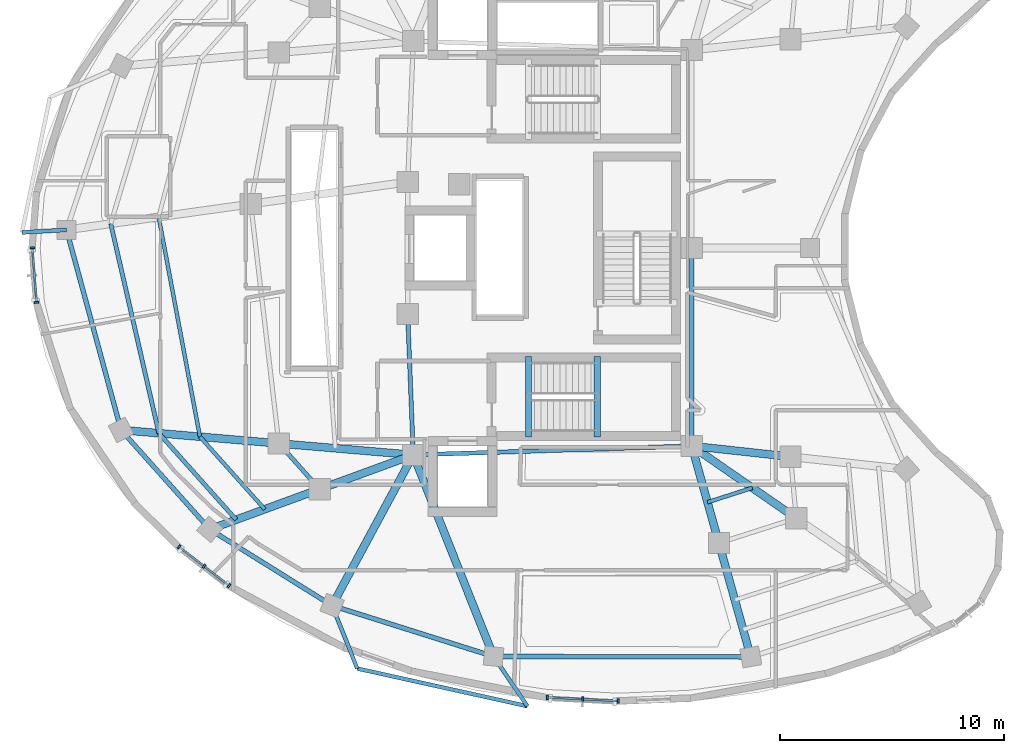
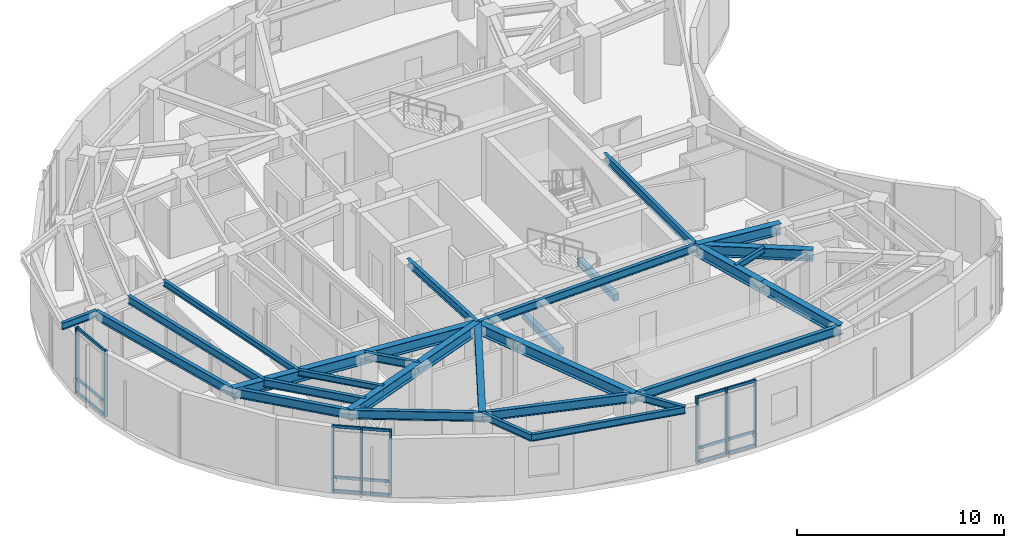
# One storey, part 2 of 13: 30 beams, 23 members, 3 elements without a shape of their own.
"""IFC4 building model written with IfcOpenShell, lengths in metres."""

from ifc_helpers import new_model, si_unit, direction, frame, origin, origin_2d, place, context, subcontext, project, spatial, rectangle, i_section, extrude, material, layer, layer_set, material_profile, profile_set, type_object, element, aggregate, save


model = new_model("IFC4")

# Units and contexts
model_context = context("Model", 3, precision=1e-05, world=origin(), true_north=direction((0.0, 1.0)))
body_context = subcontext(model_context, "Body", "Model", "MODEL_VIEW")
ifc_project = project(units=[si_unit("LENGTHUNIT", "METRE"), si_unit("AREAUNIT", "SQUARE_METRE"), si_unit("VOLUMEUNIT", "CUBIC_METRE"), si_unit("PLANEANGLEUNIT", "RADIAN"), si_unit("MASSUNIT", "GRAM", prefix="KILO")], contexts=[model_context])

# Site, building, storey
site_placement = place(None, origin())
site = spatial("IfcSite", under=ifc_project, at=site_placement, CompositionType="ELEMENT")
building_placement = place(site_placement, origin())
building = spatial("IfcBuilding", under=site, at=building_placement, Name="Korentha Bioscience Tower", CompositionType="ELEMENT")
storey_placement = place(building_placement, frame((0.0, 0.0, 260.39990234375)))
storey = spatial("IfcBuildingStorey", under=building, at=storey_placement, Name="L60", CompositionType="ELEMENT", Elevation=260.39990234375)

# Beams
ifc_material_1 = material(Name="Concrete C50", Category="concrete")
ifc_material_profile_1 = material_profile(ifc_material_1, rectangle(XDim=0.280029296875, YDim=0.3798828125, at=origin_2d()), Name="Concrete C50")
ifc_profile_set_1 = profile_set([ifc_material_profile_1], Name="Concrete C50 (ST-HB380)")
beam_type_1 = type_object("IfcBeamType", Name="Concrete Stair Header Beam RC 280x380", PredefinedType="BEAM", material=ifc_profile_set_1)
for number, where, z_axis, x_axis, name in (
    (1, (30.25, 18.550048828125, -0.18994140625), (0.0, 1.0, 0.0), (-1.0, 0.0, 0.0), "L60 ST-2 Concrete Stair Header Beam"),
    (2, (33.330078125, 18.550048828125, 1.91015625), (0.0, 1.0, 0.0), (-1.0, 0.0, 0.0), "L60 ST-2 Half-Landing Header Beam 1"),
):
    element("IfcBeam", number, at=place(storey_placement, frame(where, z_axis=z_axis, x_axis=x_axis)), inside=storey, type_object=beam_type_1, Name=name, PredefinedType="BEAM", context=body_context, shape_type="SweptSolid", body=[
        extrude(rectangle(XDim=0.280029296875, YDim=0.3798828125, at=origin_2d()), origin(), (0.0, 0.0, 1.0), 3.599853515625),
    ])
ifc_material_2 = material(Name="Steel S355", Category="steel")
ifc_material_profile_2 = material_profile(ifc_material_2, i_section(OverallWidth=0.18994140625, OverallDepth=0.45703125, WebThickness=0.009033203125, FlangeThickness=0.014404296875, at=origin_2d()), Name="Steel S355")
ifc_profile_set_2 = profile_set([ifc_material_profile_2], Name="Steel S355 (MB-460)")
beam_type_2 = type_object("IfcBeamType", Name="Mid-Ring Tie Girder W460x74", PredefinedType="BEAM", material=ifc_profile_set_2)
beam_1_placement = place(storey_placement, frame((19.08984375, 18.262451171875, 3.671630859375), z_axis=(0.666159168073, -0.745809602239, 0.0), x_axis=(0.745809602239, 0.666159168073, 0.0)))
element("IfcBeam", 3, at=beam_1_placement, inside=storey, type_object=beam_type_2, Name="L60 Mid-Ring Tie Girder 08", PredefinedType="BEAM", context=body_context, shape_type="SweptSolid", body=[
    extrude(i_section(OverallWidth=0.18994140625, OverallDepth=0.45703125, WebThickness=0.009033203125, FlangeThickness=0.014404296875, at=origin_2d()), origin(), (0.0, 0.0, 1.0), 2.740234375),
])
beam_2_placement = place(storey_placement, frame((24.85009765625, 24.050048828125, 3.671630859375), z_axis=(0.039651025576, -0.999213588864, 0.0), x_axis=(0.999213588864, 0.039651025576, 0.0)))
element("IfcBeam", 4, at=beam_2_placement, inside=storey, type_object=beam_type_2, Name="L60 Core Ring Tie Girder 04", PredefinedType="BEAM", context=body_context, shape_type="SweptSolid", body=[
    extrude(i_section(OverallWidth=0.18994140625, OverallDepth=0.45703125, WebThickness=0.009033203125, FlangeThickness=0.014404296875, at=origin_2d()), origin(), (0.0, 0.0, 1.0), 6.304931640625),
])
beam_3_placement = place(storey_placement, frame((25.10009765625, 17.75, 3.671630859375), z_axis=(0.999484526071, 0.032104238723, 0.0), x_axis=(-0.032104238723, 0.999484526071, 0.0)))
element("IfcBeam", 5, at=beam_3_placement, inside=storey, type_object=beam_type_2, Name="L60 Core Ring Tie Girder 05", PredefinedType="BEAM", context=body_context, shape_type="SweptSolid", body=[
    extrude(i_section(OverallWidth=0.18994140625, OverallDepth=0.45703125, WebThickness=0.009033203125, FlangeThickness=0.014404296875, at=origin_2d()), origin(), (0.0, 0.0, 1.0), 12.456298828125),
])
beam_4_placement = place(storey_placement, frame((37.550048828125, 18.14990234375, 3.671630859375), z_axis=(0.0, 1.0, 0.0), x_axis=(-1.0, 0.0, 0.0)))
element("IfcBeam", 6, at=beam_4_placement, inside=storey, type_object=beam_type_2, Name="L60 Core Ring Tie Girder 06", PredefinedType="BEAM", context=body_context, shape_type="SweptSolid", body=[
    extrude(i_section(OverallWidth=0.18994140625, OverallDepth=0.45703125, WebThickness=0.009033203125, FlangeThickness=0.014404296875, at=origin_2d()), origin(), (0.0, 0.0, 1.0), 8.85009765625),
])

# Curtain wall, members
ifc_material_3 = material(Name="Thermally Broken Aluminium Frame", Category="aluminium")
ifc_layer = layer(ifc_material_3, 0.219970703125, Name="Thermally Broken Aluminium Frame")
ifc_layer_set = layer_set([ifc_layer], Name="Thermally Broken Aluminium Frame (CW-T2)")
curtain_wall_type = type_object("IfcCurtainWallType", Name="Solar-Screened Lab Unitised Curtain Wall CW-T2", PredefinedType="USERDEFINED", material=ifc_layer_set)
curtain_wall_1_placement = place(storey_placement, origin())
curtain_wall_1 = element("IfcCurtainWall", 7, at=curtain_wall_1_placement, inside=storey, type_object=curtain_wall_type, Name="L60 Curtain Wall 19", ObjectType="UNITISED", PredefinedType="USERDEFINED")
ifc_material_4 = material(Name="Anodised Aluminium 6063-T6", Category="aluminium")
ifc_material_profile_3 = material_profile(ifc_material_4, rectangle(XDim=0.090087890625, YDim=0.199951171875, at=origin_2d()), Name="Anodised Aluminium 6063-T6")
ifc_profile_set_3 = profile_set([ifc_material_profile_3], Name="Anodised Aluminium 6063-T6 (CW-MUL)")
member_type_1 = type_object("IfcMemberType", Name="Mullion RECT 90x200", PredefinedType="MULLION", material=ifc_profile_set_3)
member_1_placement = place(storey_placement, frame((8.06884765625, 27.007568359375, 0.0), z_axis=(0.0, 0.0, 1.0), x_axis=(0.078035250492, -0.996950600421, 0.0)))
member_1 = element("IfcMember", 8, at=member_1_placement, type_object=member_type_1, Name="CW-L60-19 Mullion 1", PredefinedType="MULLION", context=body_context, shape_type="SweptSolid", body=[
    extrude(rectangle(XDim=0.090087890625, YDim=0.199951171875, at=origin_2d()), origin(), (0.0, 0.0, 1.0), 3.900146484375),
])
member_2_placement = place(storey_placement, frame((8.259765625, 24.569091796875, 0.0), z_axis=(0.0, 0.0, 1.0), x_axis=(0.078035250492, -0.996950600421, 0.0)))
member_2 = element("IfcMember", 9, at=member_2_placement, type_object=member_type_1, Name="CW-L60-19 Mullion 2", PredefinedType="MULLION", context=body_context, shape_type="SweptSolid", body=[
    extrude(rectangle(XDim=0.090087890625, YDim=0.199951171875, at=origin_2d()), origin(), (0.0, 0.0, 1.0), 3.900146484375),
])

curtain_wall_2_placement = place(storey_placement, origin())
curtain_wall_2 = element("IfcCurtainWall", 10, at=curtain_wall_2_placement, inside=storey, type_object=curtain_wall_type, Name="L60 Curtain Wall 25", ObjectType="UNITISED", PredefinedType="USERDEFINED")
member_3_placement = place(storey_placement, frame((14.6259765625, 13.64111328125, 0.0), z_axis=(0.0, 0.0, 1.0), x_axis=(0.790487520139, -0.612478146961, 0.0)))
member_3 = element("IfcMember", 11, at=member_3_placement, type_object=member_type_1, Name="CW-L60-25 Mullion 1", PredefinedType="MULLION", context=body_context, shape_type="SweptSolid", body=[
    extrude(rectangle(XDim=0.090087890625, YDim=0.199951171875, at=origin_2d()), origin(), (0.0, 0.0, 1.0), 3.900146484375),
])
member_4_placement = place(storey_placement, frame((15.74560546875, 12.773681640625, 0.0), z_axis=(0.0, 0.0, 1.0), x_axis=(0.790487520139, -0.612478146961, 0.0)))
member_4 = element("IfcMember", 12, at=member_4_placement, type_object=member_type_1, Name="CW-L60-25 Mullion 2", PredefinedType="MULLION", context=body_context, shape_type="SweptSolid", body=[
    extrude(rectangle(XDim=0.090087890625, YDim=0.199951171875, at=origin_2d()), origin(), (0.0, 0.0, 1.0), 3.900146484375),
])
member_5_placement = place(storey_placement, frame((16.865234375, 11.90625, 0.0), z_axis=(0.0, 0.0, 1.0), x_axis=(0.790487520139, -0.612478146961, 0.0)))
member_5 = element("IfcMember", 13, at=member_5_placement, type_object=member_type_1, Name="CW-L60-25 Mullion 3", PredefinedType="MULLION", context=body_context, shape_type="SweptSolid", body=[
    extrude(rectangle(XDim=0.090087890625, YDim=0.199951171875, at=origin_2d()), origin(), (0.0, 0.0, 1.0), 3.900146484375),
])

curtain_wall_3_placement = place(storey_placement, origin())
curtain_wall_3 = element("IfcCurtainWall", 14, at=curtain_wall_3_placement, inside=storey, type_object=curtain_wall_type, Name="L60 Curtain Wall 31", ObjectType="UNITISED", PredefinedType="USERDEFINED")
member_6_placement = place(storey_placement, frame((31.086181640625, 6.91259765625, 0.0), z_axis=(0.0, 0.0, 1.0), x_axis=(0.998636113937, -0.052210266622, 0.0)))
member_6 = element("IfcMember", 15, at=member_6_placement, type_object=member_type_1, Name="CW-L60-31 Mullion 1", PredefinedType="MULLION", context=body_context, shape_type="SweptSolid", body=[
    extrude(rectangle(XDim=0.090087890625, YDim=0.199951171875, at=origin_2d()), origin(), (0.0, 0.0, 1.0), 3.900146484375),
])
member_7_placement = place(storey_placement, frame((32.6728515625, 6.82958984375, 0.0), z_axis=(0.0, 0.0, 1.0), x_axis=(0.998636113937, -0.052210266622, 0.0)))
member_7 = element("IfcMember", 16, at=member_7_placement, type_object=member_type_1, Name="CW-L60-31 Mullion 2", PredefinedType="MULLION", context=body_context, shape_type="SweptSolid", body=[
    extrude(rectangle(XDim=0.090087890625, YDim=0.199951171875, at=origin_2d()), origin(), (0.0, 0.0, 1.0), 3.900146484375),
])
member_8_placement = place(storey_placement, frame((34.259521484375, 6.74658203125, 0.0), z_axis=(0.0, 0.0, 1.0), x_axis=(0.998636113937, -0.052210266622, 0.0)))
member_8 = element("IfcMember", 17, at=member_8_placement, type_object=member_type_1, Name="CW-L60-31 Mullion 3", PredefinedType="MULLION", context=body_context, shape_type="SweptSolid", body=[
    extrude(rectangle(XDim=0.090087890625, YDim=0.199951171875, at=origin_2d()), origin(), (0.0, 0.0, 1.0), 3.900146484375),
])

# Beams
ifc_material_profile_4 = material_profile(ifc_material_2, i_section(OverallWidth=0.208984375, OverallDepth=0.532958984375, WebThickness=0.01025390625, FlangeThickness=0.015625, at=origin_2d()), Name="Steel S355")
ifc_profile_set_4 = profile_set([ifc_material_profile_4], Name="Steel S355 (SB-530)")
beam_type_3 = type_object("IfcBeamType", Name="Perimeter Ring Spandrel Girder W530x92", PredefinedType="SPANDREL", material=ifc_profile_set_4)
beam_5_placement = place(storey_placement, frame((9.597412109375, 27.810302734375, 3.633544921875), z_axis=(0.26282776206, -0.964842768274, 0.0), x_axis=(0.964842768274, 0.26282776206, 0.0)))
element("IfcBeam", 18, at=beam_5_placement, inside=storey, type_object=beam_type_3, Name="L60 Perimeter Spandrel Girder 07", PredefinedType="SPANDREL", context=body_context, shape_type="SweptSolid", body=[
    extrude(i_section(OverallWidth=0.208984375, OverallDepth=0.532958984375, WebThickness=0.01025390625, FlangeThickness=0.015625, at=origin_2d()), origin(), (0.0, 0.0, 1.0), 9.272216796875),
])
beam_6_placement = place(storey_placement, frame((12.034423828125, 18.864013671875, 3.633544921875), z_axis=(0.666168059737, -0.745801660086, 0.0), x_axis=(0.745801660086, 0.666168059737, 0.0)))
element("IfcBeam", 19, at=beam_6_placement, inside=storey, type_object=beam_type_3, Name="L60 Perimeter Spandrel Girder 08", PredefinedType="SPANDREL", context=body_context, shape_type="SweptSolid", body=[
    extrude(i_section(OverallWidth=0.208984375, OverallDepth=0.532958984375, WebThickness=0.01025390625, FlangeThickness=0.015625, at=origin_2d()), origin(), (0.0, 0.0, 1.0), 5.956787109375),
])
beam_7_placement = place(storey_placement, frame((16.002685546875, 14.42138671875, 3.633544921875), z_axis=(0.848585501162, -0.529058264482, 0.0), x_axis=(0.529058264482, 0.848585501162, 0.0)))
element("IfcBeam", 20, at=beam_7_placement, inside=storey, type_object=beam_type_3, Name="L60 Perimeter Spandrel Girder 09", PredefinedType="SPANDREL", context=body_context, shape_type="SweptSolid", body=[
    extrude(i_section(OverallWidth=0.208984375, OverallDepth=0.532958984375, WebThickness=0.01025390625, FlangeThickness=0.015625, at=origin_2d()), origin(), (0.0, 0.0, 1.0), 6.441162109375),
])
beam_8_placement = place(storey_placement, frame((21.468505859375, 11.013671875, 3.633544921875), z_axis=(0.953788154386, -0.300479877118, 0.0), x_axis=(0.300479877118, 0.953788154386, 0.0)))
element("IfcBeam", 21, at=beam_8_placement, inside=storey, type_object=beam_type_3, Name="L60 Perimeter Spandrel Girder 10", PredefinedType="SPANDREL", context=body_context, shape_type="SweptSolid", body=[
    extrude(i_section(OverallWidth=0.208984375, OverallDepth=0.532958984375, WebThickness=0.01025390625, FlangeThickness=0.015625, at=origin_2d()), origin(), (0.0, 0.0, 1.0), 7.5693359375),
])
beam_9_placement = place(storey_placement, frame((28.68798828125, 8.7392578125, 3.633544921875), z_axis=(0.999998255351, -0.001867965325, 0.0), x_axis=(0.001867965325, 0.999998255351, 0.0)))
element("IfcBeam", 22, at=beam_9_placement, inside=storey, type_object=beam_type_3, Name="L60 Perimeter Spandrel Girder 11", PredefinedType="SPANDREL", context=body_context, shape_type="SweptSolid", body=[
    extrude(i_section(OverallWidth=0.208984375, OverallDepth=0.532958984375, WebThickness=0.01025390625, FlangeThickness=0.015625, at=origin_2d()), origin(), (0.0, 0.0, 1.0), 11.50146484375),
])
ifc_material_profile_5 = material_profile(ifc_material_2, i_section(OverallWidth=0.18994140625, OverallDepth=0.45703125, WebThickness=0.009033203125, FlangeThickness=0.014404296875, at=origin_2d()), Name="Steel S355")
ifc_profile_set_5 = profile_set([ifc_material_profile_5], Name="Steel S355 (RB-460)")
beam_type_4 = type_object("IfcBeamType", Name="Radial Laboratory Beam W460x74", PredefinedType="BEAM", material=ifc_profile_set_5)
beam_10_placement = place(storey_placement, frame((11.57421875, 28.087646484375, 3.671630859375), z_axis=(0.224037694456, -0.974580479726, 0.0), x_axis=(0.974580479726, 0.224037694456, 0.0)))
element("IfcBeam", 23, at=beam_10_placement, inside=storey, type_object=beam_type_4, Name="L60 Secondary Floor Beam JSTO-07", PredefinedType="BEAM", context=body_context, shape_type="SweptSolid", body=[
    extrude(i_section(OverallWidth=0.18994140625, OverallDepth=0.45703125, WebThickness=0.009033203125, FlangeThickness=0.014404296875, at=origin_2d()), origin(), (0.0, 0.0, 1.0), 9.612548828125),
])
beam_11_placement = place(storey_placement, frame((13.727783203125, 18.719482421875, 3.671630859375), z_axis=(0.666197283, -0.745775556132, 0.0), x_axis=(0.745775556132, 0.666197283, 0.0)))
element("IfcBeam", 24, at=beam_11_placement, inside=storey, type_object=beam_type_4, Name="L60 Secondary Floor Beam JSTO-08", PredefinedType="BEAM", context=body_context, shape_type="SweptSolid", body=[
    extrude(i_section(OverallWidth=0.18994140625, OverallDepth=0.45703125, WebThickness=0.009033203125, FlangeThickness=0.014404296875, at=origin_2d()), origin(), (0.0, 0.0, 1.0), 5.184814453125),
])
ifc_material_profile_6 = material_profile(ifc_material_2, i_section(OverallWidth=0.35009765625, OverallDepth=0.64990234375, WebThickness=0.01611328125, FlangeThickness=0.02490234375, at=origin_2d()), Name="Steel S355")
ifc_profile_set_6 = profile_set([ifc_material_profile_6], Name="Steel S355 (RB-650)")
beam_type_5 = type_object("IfcBeamType", Name="Radial Laboratory Girder CVS 650x208", PredefinedType="BEAM", material=ifc_profile_set_6)
beam_12_placement = place(storey_placement, frame((25.10009765625, 17.75, 3.5751953125), z_axis=(-0.996384825277, 0.084954575849, 0.0), x_axis=(-0.084954575849, -0.996384825277, 0.0)))
element("IfcBeam", 25, at=beam_12_placement, inside=storey, type_object=beam_type_5, Name="L60 Inner Radial Girder 08", PredefinedType="BEAM", context=body_context, shape_type="SweptSolid", body=[
    extrude(i_section(OverallWidth=0.35009765625, OverallDepth=0.64990234375, WebThickness=0.01611328125, FlangeThickness=0.02490234375, at=origin_2d()), origin(), (0.0, 0.0, 1.0), 6.031982421875),
])
beam_13_placement = place(storey_placement, frame((19.08984375, 18.262451171875, 3.5751953125), z_axis=(-0.996384854796, 0.084954229635, 0.0), x_axis=(-0.084954229635, -0.996384854796, 0.0)))
element("IfcBeam", 26, at=beam_13_placement, inside=storey, type_object=beam_type_5, Name="L60 Outer Radial Girder 08", PredefinedType="BEAM", context=body_context, shape_type="SweptSolid", body=[
    extrude(i_section(OverallWidth=0.35009765625, OverallDepth=0.64990234375, WebThickness=0.01611328125, FlangeThickness=0.02490234375, at=origin_2d()), origin(), (0.0, 0.0, 1.0), 7.0810546875),
])
beam_14_placement = place(storey_placement, frame((25.10009765625, 17.75, 3.5751953125), z_axis=(-0.939106897866, -0.343625136422, 0.0), x_axis=(0.343625136422, -0.939106897866, 0.0)))
element("IfcBeam", 27, at=beam_14_placement, inside=storey, type_object=beam_type_5, Name="L60 Inner Radial Girder 09", PredefinedType="BEAM", context=body_context, shape_type="SweptSolid", body=[
    extrude(i_section(OverallWidth=0.35009765625, OverallDepth=0.64990234375, WebThickness=0.01611328125, FlangeThickness=0.02490234375, at=origin_2d()), origin(), (0.0, 0.0, 1.0), 4.4560546875),
])
beam_15_placement = place(storey_placement, frame((20.915283203125, 16.21875, 3.5751953125), z_axis=(-0.939118444477, -0.343593578583, 0.0), x_axis=(0.343593578583, -0.939118444477, 0.0)))
element("IfcBeam", 28, at=beam_15_placement, inside=storey, type_object=beam_type_5, Name="L60 Outer Radial Girder 09", PredefinedType="BEAM", context=body_context, shape_type="SweptSolid", body=[
    extrude(i_section(OverallWidth=0.35009765625, OverallDepth=0.64990234375, WebThickness=0.01611328125, FlangeThickness=0.02490234375, at=origin_2d()), origin(), (0.0, 0.0, 1.0), 5.23095703125),
])
beam_16_placement = place(storey_placement, frame((25.10009765625, 17.75, 3.5751953125), z_axis=(-0.474539218542, -0.880234360875, 0.0), x_axis=(0.880234360875, -0.474539218542, 0.0)))
element("IfcBeam", 29, at=beam_16_placement, inside=storey, type_object=beam_type_5, Name="L60 Radial Girder 10", PredefinedType="BEAM", context=body_context, shape_type="SweptSolid", body=[
    extrude(i_section(OverallWidth=0.35009765625, OverallDepth=0.64990234375, WebThickness=0.01611328125, FlangeThickness=0.02490234375, at=origin_2d()), origin(), (0.0, 0.0, 1.0), 7.65283203125),
])
beam_17_placement = place(storey_placement, frame((25.10009765625, 17.75, 3.5751953125), z_axis=(0.369931961537, -0.929058848423, 0.0), x_axis=(0.929058848423, 0.369931961537, 0.0)))
element("IfcBeam", 30, at=beam_17_placement, inside=storey, type_object=beam_type_5, Name="L60 Radial Girder 11", PredefinedType="BEAM", context=body_context, shape_type="SweptSolid", body=[
    extrude(i_section(OverallWidth=0.35009765625, OverallDepth=0.64990234375, WebThickness=0.01611328125, FlangeThickness=0.02490234375, at=origin_2d()), origin(), (0.0, 0.0, 1.0), 9.69873046875),
])
beam_18_placement = place(storey_placement, frame((37.550048828125, 18.14990234375, 3.5751953125), z_axis=(0.269471139951, -0.963008465556, 0.0), x_axis=(0.963008465556, 0.269471139951, 0.0)))
element("IfcBeam", 31, at=beam_18_placement, inside=storey, type_object=beam_type_5, Name="L60 Inner Radial Girder 12", PredefinedType="BEAM", context=body_context, shape_type="SweptSolid", body=[
    extrude(i_section(OverallWidth=0.35009765625, OverallDepth=0.64990234375, WebThickness=0.01611328125, FlangeThickness=0.02490234375, at=origin_2d()), origin(), (0.0, 0.0, 1.0), 4.505615234375),
])
beam_19_placement = place(storey_placement, frame((38.76416015625, 13.81103515625, 3.5751953125), z_axis=(0.26948609841, -0.963004279723, 0.0), x_axis=(0.963004279723, 0.26948609841, 0.0)))
element("IfcBeam", 32, at=beam_19_placement, inside=storey, type_object=beam_type_5, Name="L60 Outer Radial Girder 12", PredefinedType="BEAM", context=body_context, shape_type="SweptSolid", body=[
    extrude(i_section(OverallWidth=0.35009765625, OverallDepth=0.64990234375, WebThickness=0.01611328125, FlangeThickness=0.02490234375, at=origin_2d()), origin(), (0.0, 0.0, 1.0), 5.288818359375),
])
beam_20_placement = place(storey_placement, frame((37.550048828125, 18.14990234375, 3.5751953125), z_axis=(0.822500009141, -0.56876509647, 0.0), x_axis=(0.56876509647, 0.822500009141, 0.0)))
element("IfcBeam", 33, at=beam_20_placement, inside=storey, type_object=beam_type_5, Name="L60 Inner Radial Girder 13", PredefinedType="BEAM", context=body_context, shape_type="SweptSolid", body=[
    extrude(i_section(OverallWidth=0.35009765625, OverallDepth=0.64990234375, WebThickness=0.01611328125, FlangeThickness=0.02490234375, at=origin_2d()), origin(), (0.0, 0.0, 1.0), 5.6796875),
])
beam_21_placement = place(storey_placement, frame((37.550048828125, 18.14990234375, 3.5751953125), z_axis=(0.994121454153, -0.108270653423, 0.0), x_axis=(0.108270653423, 0.994121454153, 0.0)))
element("IfcBeam", 34, at=beam_21_placement, inside=storey, type_object=beam_type_5, Name="L60 Inner Radial Girder 14", PredefinedType="BEAM", context=body_context, shape_type="SweptSolid", body=[
    extrude(i_section(OverallWidth=0.35009765625, OverallDepth=0.64990234375, WebThickness=0.01611328125, FlangeThickness=0.02490234375, at=origin_2d()), origin(), (0.0, 0.0, 1.0), 4.43994140625),
])
ifc_material_profile_7 = material_profile(ifc_material_2, i_section(OverallWidth=0.1708984375, OverallDepth=0.35498046875, WebThickness=0.007080078125, FlangeThickness=0.01171875, at=origin_2d()), Name="Steel S355")
ifc_profile_set_7 = profile_set([ifc_material_profile_7], Name="Steel S355 (JB-360)")
beam_type_6 = type_object("IfcBeamType", Name="Secondary Laboratory Joist W360x51", PredefinedType="JOIST", material=ifc_profile_set_7)
beam_22_placement = place(storey_placement, frame((13.715576171875, 28.38818359375, 3.72265625), z_axis=(0.184699906213, -0.98279496572, 0.0), x_axis=(0.98279496572, 0.184699906213, 0.0)))
element("IfcBeam", 35, at=beam_22_placement, inside=storey, type_object=beam_type_6, Name="L60 Secondary Floor Beam JST-07", PredefinedType="JOIST", context=body_context, shape_type="SweptSolid", body=[
    extrude(i_section(OverallWidth=0.1708984375, OverallDepth=0.35498046875, WebThickness=0.007080078125, FlangeThickness=0.01171875, at=origin_2d()), origin(), (0.0, 0.0, 1.0), 9.9970703125),
])
beam_23_placement = place(storey_placement, frame((15.56201171875, 18.563232421875, 3.72265625), z_axis=(0.666180871809, -0.745790215836, 0.0), x_axis=(0.745790215836, 0.666180871809, 0.0)))
element("IfcBeam", 36, at=beam_23_placement, inside=storey, type_object=beam_type_6, Name="L60 Secondary Floor Beam JST-08", PredefinedType="JOIST", context=body_context, shape_type="SweptSolid", body=[
    extrude(i_section(OverallWidth=0.1708984375, OverallDepth=0.35498046875, WebThickness=0.007080078125, FlangeThickness=0.01171875, at=origin_2d()), origin(), (0.0, 0.0, 1.0), 4.3486328125),
])
beam_24_placement = place(storey_placement, frame((38.254150390625, 15.63330078125, 3.72265625), z_axis=(0.952238215196, 0.305356155202, 0.0), x_axis=(-0.305356155202, 0.952238215196, 0.0)))
element("IfcBeam", 37, at=beam_24_placement, inside=storey, type_object=beam_type_6, Name="L60 Inner Bay Joist 12", PredefinedType="JOIST", context=body_context, shape_type="SweptSolid", body=[
    extrude(i_section(OverallWidth=0.1708984375, OverallDepth=0.35498046875, WebThickness=0.007080078125, FlangeThickness=0.01171875, at=origin_2d()), origin(), (0.0, 0.0, 1.0), 2.10595703125),
])
ifc_material_profile_8 = material_profile(ifc_material_2, i_section(OverallWidth=0.177978515625, OverallDepth=0.406982421875, WebThickness=0.0078125, FlangeThickness=0.0126953125, at=origin_2d()), Name="Steel S355")
ifc_profile_set_8 = profile_set([ifc_material_profile_8], Name="Steel S355 (CB-410)")
beam_type_7 = type_object("IfcBeamType", Name="Sun-Ledge Cantilever Beam W410x60", PredefinedType="BEAM", material=ifc_profile_set_8)
beam_25_placement = place(storey_placement, frame((9.597412109375, 27.810302734375, 3.698486328125), z_axis=(-0.998353975187, -0.05735277001, 0.0), x_axis=(0.05735277001, -0.998353975187, 0.0)))
element("IfcBeam", 38, at=beam_25_placement, inside=storey, type_object=beam_type_7, Name="L60 Balcony Cantilever Bracket B-L61-02", PredefinedType="BEAM", context=body_context, shape_type="SweptSolid", body=[
    extrude(i_section(OverallWidth=0.177978515625, OverallDepth=0.406982421875, WebThickness=0.0078125, FlangeThickness=0.0126953125, at=origin_2d()), origin(), (0.0, 0.0, 1.0), 1.996337890625),
])
beam_26_placement = place(storey_placement, frame((21.468505859375, 11.013671875, 3.698486328125), z_axis=(0.371154633321, -0.928571073297, 0.0), x_axis=(0.928571073297, 0.371154633321, 0.0)))
element("IfcBeam", 39, at=beam_26_placement, inside=storey, type_object=beam_type_7, Name="L60 Balcony Cantilever Bracket A-L61-03", PredefinedType="BEAM", context=body_context, shape_type="SweptSolid", body=[
    extrude(i_section(OverallWidth=0.177978515625, OverallDepth=0.406982421875, WebThickness=0.0078125, FlangeThickness=0.0126953125, at=origin_2d()), origin(), (0.0, 0.0, 1.0), 3.03173828125),
])
beam_27_placement = place(storey_placement, frame((28.68798828125, 8.7392578125, 3.698486328125), z_axis=(0.563027074068, -0.826438451348, 0.0), x_axis=(0.826438451348, 0.563027074068, 0.0)))
element("IfcBeam", 40, at=beam_27_placement, inside=storey, type_object=beam_type_7, Name="L60 Balcony Cantilever Bracket B-L61-03", PredefinedType="BEAM", context=body_context, shape_type="SweptSolid", body=[
    extrude(i_section(OverallWidth=0.177978515625, OverallDepth=0.406982421875, WebThickness=0.0078125, FlangeThickness=0.0126953125, at=origin_2d()), origin(), (0.0, 0.0, 1.0), 2.690673828125),
])
beam_28_placement = place(storey_placement, frame((22.59375, 8.198486328125, 3.698486328125), z_axis=(0.976405491774, -0.21594516812, 0.0), x_axis=(0.21594516812, 0.976405491774, 0.0)))
element("IfcBeam", 41, at=beam_28_placement, inside=storey, type_object=beam_type_7, Name="L60 Balcony Edge Trimmer Beam L61-03", PredefinedType="BEAM", context=body_context, shape_type="SweptSolid", body=[
    extrude(i_section(OverallWidth=0.177978515625, OverallDepth=0.406982421875, WebThickness=0.0078125, FlangeThickness=0.0126953125, at=origin_2d()), origin(), (0.0, 0.0, 1.0), 7.79296875),
])

# Member
ifc_material_profile_9 = material_profile(ifc_material_4, rectangle(XDim=0.090087890625, YDim=0.159912109375, at=origin_2d()), Name="Anodised Aluminium 6063-T6")
ifc_profile_set_9 = profile_set([ifc_material_profile_9], Name="Anodised Aluminium 6063-T6 (CW-TRN)")
member_type_2 = type_object("IfcMemberType", Name="Transom RECT 90x160", PredefinedType="USERDEFINED", material=ifc_profile_set_9)
member_9_placement = place(storey_placement, frame((8.072509765625, 26.962646484375, 0.045166015625), z_axis=(0.078027673701, -0.996951193458, 0.0), x_axis=(0.996951193458, 0.078027673701, 0.0)))
member_9 = element("IfcMember", 42, at=member_9_placement, type_object=member_type_2, Name="CW-L60-19 Bay 1 Transom 1", ObjectType="TRANSOM", PredefinedType="USERDEFINED", context=body_context, shape_type="SweptSolid", body=[
    extrude(rectangle(XDim=0.090087890625, YDim=0.159912109375, at=origin_2d()), origin(), (0.0, 0.0, 1.0), 2.35595703125),
])

member_10_placement = place(storey_placement, frame((8.072509765625, 26.962646484375, 0.85009765625), z_axis=(0.078027673701, -0.996951193458, 0.0), x_axis=(0.996951193458, 0.078027673701, 0.0)))
member_10 = element("IfcMember", 43, at=member_10_placement, type_object=member_type_2, Name="CW-L60-19 Bay 1 Transom 2", ObjectType="TRANSOM", PredefinedType="USERDEFINED", context=body_context, shape_type="SweptSolid", body=[
    extrude(rectangle(XDim=0.090087890625, YDim=0.159912109375, at=origin_2d()), origin(), (0.0, 0.0, 1.0), 2.35595703125),
])

member_11_placement = place(storey_placement, frame((8.072509765625, 26.962646484375, 3.85498046875), z_axis=(0.078027673701, -0.996951193458, 0.0), x_axis=(0.996951193458, 0.078027673701, 0.0)))
member_11 = element("IfcMember", 44, at=member_11_placement, type_object=member_type_2, Name="CW-L60-19 Bay 1 Transom 3", ObjectType="TRANSOM", PredefinedType="USERDEFINED", context=body_context, shape_type="SweptSolid", body=[
    extrude(rectangle(XDim=0.090087890625, YDim=0.159912109375, at=origin_2d()), origin(), (0.0, 0.0, 1.0), 2.35595703125),
])

aggregate(curtain_wall_1, [member_1, member_2, member_9, member_10, member_11])

member_12_placement = place(storey_placement, frame((14.661376953125, 13.61376953125, 0.045166015625), z_axis=(0.790470743722, -0.612499798628, 0.0), x_axis=(0.612499798628, 0.790470743722, 0.0)))
member_12 = element("IfcMember", 45, at=member_12_placement, type_object=member_type_2, Name="CW-L60-25 Bay 1 Transom 1", ObjectType="TRANSOM", PredefinedType="USERDEFINED", context=body_context, shape_type="SweptSolid", body=[
    extrude(rectangle(XDim=0.090087890625, YDim=0.159912109375, at=origin_2d()), origin(), (0.0, 0.0, 1.0), 1.326416015625),
])

member_13_placement = place(storey_placement, frame((14.661376953125, 13.61376953125, 0.85009765625), z_axis=(0.790470743722, -0.612499798628, 0.0), x_axis=(0.612499798628, 0.790470743722, 0.0)))
member_13 = element("IfcMember", 46, at=member_13_placement, type_object=member_type_2, Name="CW-L60-25 Bay 1 Transom 2", ObjectType="TRANSOM", PredefinedType="USERDEFINED", context=body_context, shape_type="SweptSolid", body=[
    extrude(rectangle(XDim=0.090087890625, YDim=0.159912109375, at=origin_2d()), origin(), (0.0, 0.0, 1.0), 1.326416015625),
])

member_14_placement = place(storey_placement, frame((14.661376953125, 13.61376953125, 3.85498046875), z_axis=(0.790470743722, -0.612499798628, 0.0), x_axis=(0.612499798628, 0.790470743722, 0.0)))
member_14 = element("IfcMember", 47, at=member_14_placement, type_object=member_type_2, Name="CW-L60-25 Bay 1 Transom 3", ObjectType="TRANSOM", PredefinedType="USERDEFINED", context=body_context, shape_type="SweptSolid", body=[
    extrude(rectangle(XDim=0.090087890625, YDim=0.159912109375, at=origin_2d()), origin(), (0.0, 0.0, 1.0), 1.326416015625),
])

member_15_placement = place(storey_placement, frame((15.781005859375, 12.74609375, 0.045166015625), z_axis=(0.790470743722, -0.612499798628, 0.0), x_axis=(0.612499798628, 0.790470743722, 0.0)))
member_15 = element("IfcMember", 48, at=member_15_placement, type_object=member_type_2, Name="CW-L60-25 Bay 2 Transom 1", ObjectType="TRANSOM", PredefinedType="USERDEFINED", context=body_context, shape_type="SweptSolid", body=[
    extrude(rectangle(XDim=0.090087890625, YDim=0.159912109375, at=origin_2d()), origin(), (0.0, 0.0, 1.0), 1.326416015625),
])

member_16_placement = place(storey_placement, frame((15.781005859375, 12.74609375, 0.85009765625), z_axis=(0.790470743722, -0.612499798628, 0.0), x_axis=(0.612499798628, 0.790470743722, 0.0)))
member_16 = element("IfcMember", 49, at=member_16_placement, type_object=member_type_2, Name="CW-L60-25 Bay 2 Transom 2", ObjectType="TRANSOM", PredefinedType="USERDEFINED", context=body_context, shape_type="SweptSolid", body=[
    extrude(rectangle(XDim=0.090087890625, YDim=0.159912109375, at=origin_2d()), origin(), (0.0, 0.0, 1.0), 1.326416015625),
])

member_17_placement = place(storey_placement, frame((15.781005859375, 12.74609375, 3.85498046875), z_axis=(0.790470743722, -0.612499798628, 0.0), x_axis=(0.612499798628, 0.790470743722, 0.0)))
member_17 = element("IfcMember", 50, at=member_17_placement, type_object=member_type_2, Name="CW-L60-25 Bay 2 Transom 3", ObjectType="TRANSOM", PredefinedType="USERDEFINED", context=body_context, shape_type="SweptSolid", body=[
    extrude(rectangle(XDim=0.090087890625, YDim=0.159912109375, at=origin_2d()), origin(), (0.0, 0.0, 1.0), 1.326416015625),
])

aggregate(curtain_wall_2, [member_3, member_4, member_5, member_12, member_13, member_14, member_15, member_16, member_17])

member_18_placement = place(storey_placement, frame((31.131103515625, 6.91015625, 0.045166015625), z_axis=(0.998631744919, -0.05229376674, 0.0), x_axis=(0.05229376674, 0.998631744919, 0.0)))
member_18 = element("IfcMember", 51, at=member_18_placement, type_object=member_type_2, Name="CW-L60-31 Bay 1 Transom 1", ObjectType="TRANSOM", PredefinedType="USERDEFINED", context=body_context, shape_type="SweptSolid", body=[
    extrude(rectangle(XDim=0.090087890625, YDim=0.159912109375, at=origin_2d()), origin(), (0.0, 0.0, 1.0), 1.49853515625),
])

member_19_placement = place(storey_placement, frame((31.131103515625, 6.91015625, 0.85009765625), z_axis=(0.998631744919, -0.05229376674, 0.0), x_axis=(0.05229376674, 0.998631744919, 0.0)))
member_19 = element("IfcMember", 52, at=member_19_placement, type_object=member_type_2, Name="CW-L60-31 Bay 1 Transom 2", ObjectType="TRANSOM", PredefinedType="USERDEFINED", context=body_context, shape_type="SweptSolid", body=[
    extrude(rectangle(XDim=0.090087890625, YDim=0.159912109375, at=origin_2d()), origin(), (0.0, 0.0, 1.0), 1.49853515625),
])

member_20_placement = place(storey_placement, frame((31.131103515625, 6.91015625, 3.85498046875), z_axis=(0.998631744919, -0.05229376674, 0.0), x_axis=(0.05229376674, 0.998631744919, 0.0)))
member_20 = element("IfcMember", 53, at=member_20_placement, type_object=member_type_2, Name="CW-L60-31 Bay 1 Transom 3", ObjectType="TRANSOM", PredefinedType="USERDEFINED", context=body_context, shape_type="SweptSolid", body=[
    extrude(rectangle(XDim=0.090087890625, YDim=0.159912109375, at=origin_2d()), origin(), (0.0, 0.0, 1.0), 1.49853515625),
])

member_21_placement = place(storey_placement, frame((32.7177734375, 6.827392578125, 0.045166015625), z_axis=(0.998631744919, -0.05229376674, 0.0), x_axis=(0.05229376674, 0.998631744919, 0.0)))
member_21 = element("IfcMember", 54, at=member_21_placement, type_object=member_type_2, Name="CW-L60-31 Bay 2 Transom 1", ObjectType="TRANSOM", PredefinedType="USERDEFINED", context=body_context, shape_type="SweptSolid", body=[
    extrude(rectangle(XDim=0.090087890625, YDim=0.159912109375, at=origin_2d()), origin(), (0.0, 0.0, 1.0), 1.49853515625),
])

member_22_placement = place(storey_placement, frame((32.7177734375, 6.827392578125, 0.85009765625), z_axis=(0.998631744919, -0.05229376674, 0.0), x_axis=(0.05229376674, 0.998631744919, 0.0)))
member_22 = element("IfcMember", 55, at=member_22_placement, type_object=member_type_2, Name="CW-L60-31 Bay 2 Transom 2", ObjectType="TRANSOM", PredefinedType="USERDEFINED", context=body_context, shape_type="SweptSolid", body=[
    extrude(rectangle(XDim=0.090087890625, YDim=0.159912109375, at=origin_2d()), origin(), (0.0, 0.0, 1.0), 1.49853515625),
])

member_23_placement = place(storey_placement, frame((32.7177734375, 6.827392578125, 3.85498046875), z_axis=(0.998631744919, -0.05229376674, 0.0), x_axis=(0.05229376674, 0.998631744919, 0.0)))
member_23 = element("IfcMember", 56, at=member_23_placement, type_object=member_type_2, Name="CW-L60-31 Bay 2 Transom 3", ObjectType="TRANSOM", PredefinedType="USERDEFINED", context=body_context, shape_type="SweptSolid", body=[
    extrude(rectangle(XDim=0.090087890625, YDim=0.159912109375, at=origin_2d()), origin(), (0.0, 0.0, 1.0), 1.49853515625),
])

aggregate(curtain_wall_3, [member_6, member_7, member_8, member_18, member_19, member_20, member_21, member_22, member_23])

save(model, "model.ifc")
